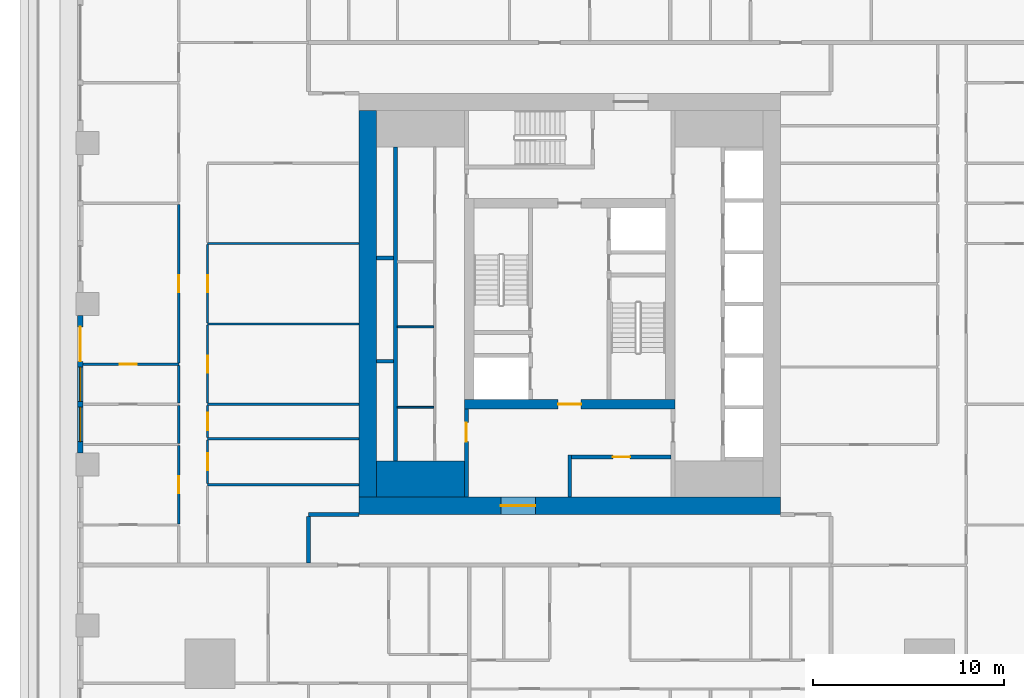
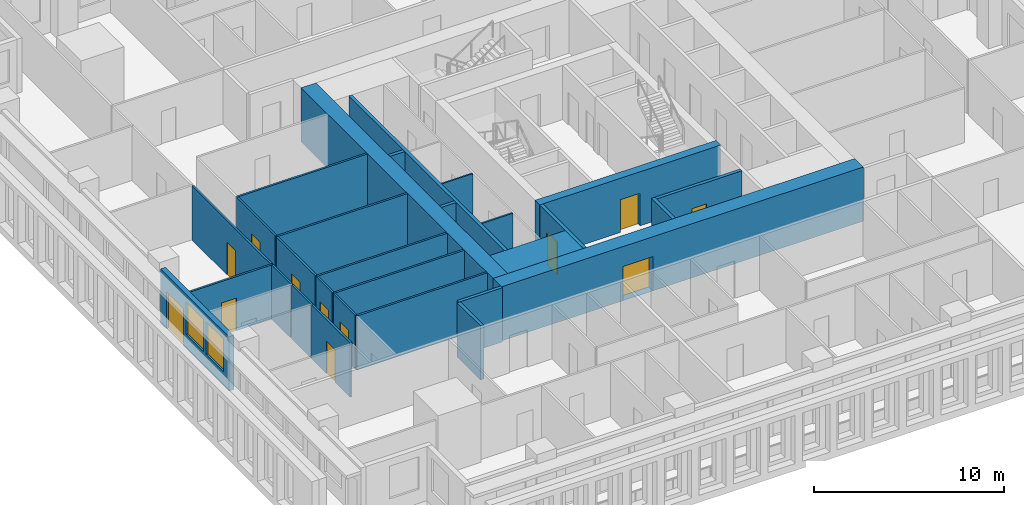
# One storey, part 3 of 16: 29 walls, 12 doors, 2 windows, 14 openings.
"""IFC4 building model written with IfcOpenShell, lengths in metres."""

from ifc_helpers import new_model, si_unit, direction, frame, frame_2d, origin, place, context, subcontext, project, spatial, rectangle, extrude, material, layer, layer_set, type_object, element, fill, save


model = new_model("IFC4")

# Units and contexts
model_context = context("Model", 3, precision=1e-05, world=origin(), true_north=direction((0.0, 1.0)))
body_context = subcontext(model_context, "Body", "Model", "MODEL_VIEW")
ifc_project = project(units=[si_unit("LENGTHUNIT", "METRE"), si_unit("AREAUNIT", "SQUARE_METRE"), si_unit("VOLUMEUNIT", "CUBIC_METRE"), si_unit("PLANEANGLEUNIT", "RADIAN"), si_unit("MASSUNIT", "GRAM", prefix="KILO")], contexts=[model_context])

# Site, building, storey
site_placement = place(None, origin())
site = spatial("IfcSite", under=ifc_project, at=site_placement, CompositionType="ELEMENT")
building_placement = place(site_placement, origin())
building = spatial("IfcBuilding", under=site, at=building_placement, Name="Khepri Terraces", CompositionType="ELEMENT")
storey_placement = place(building_placement, frame((0.0, 0.0, 137.699951171875)))
storey = spatial("IfcBuildingStorey", under=building, at=storey_placement, Name="L32", CompositionType="ELEMENT", Elevation=137.699951171875)

# Walls
ifc_material_1 = material(Name="Concrete C60/75", Category="concrete")
ifc_layer_1 = layer(ifc_material_1, 1.89990234375, Name="Concrete C60/75", Category="concrete")
ifc_layer_set_1 = layer_set([ifc_layer_1], Name="Concrete C60/75")
wall_type_1 = type_object("IfcWallType", Name="Core wall 1900 C60/75", PredefinedType="SHEAR", material=ifc_layer_set_1)
wall_1_placement = place(storey_placement, frame((-10.10009765625, -9.14990234375, 0.0), z_axis=(0.0, 0.0, 1.0), x_axis=(1.0, 0.0, 0.0)))
element("IfcWall", 1, at=wall_1_placement, inside=storey, type_object=wall_type_1, Name="Core wall PR01 L32", PredefinedType="SHEAR", context=body_context, shape_type="SweptSolid", body=[
    extrude(rectangle(XDim=4.60009765625, YDim=1.89990234375, at=frame_2d((2.300048828125, 0.0))), origin(), (0.0, 0.0, 1.0), 3.47998046875),
])
ifc_layer_2 = layer(ifc_material_1, 0.199951171875, Name="Concrete C60/75", Category="concrete")
ifc_layer_set_2 = layer_set([ifc_layer_2], Name="Concrete C60/75")
wall_type_2 = type_object("IfcWallType", Name="Core wall 200 C60/75", PredefinedType="SHEAR", material=ifc_layer_set_2)
wall_2_placement = place(storey_placement, frame((-9.10009765625, -8.199951171875, 0.0), z_axis=(0.0, 0.0, 1.0), x_axis=(0.0, 1.0, 0.0)))
element("IfcWall", 2, at=wall_2_placement, inside=storey, type_object=wall_type_2, Name="Core wall SH01 L32", PredefinedType="SHEAR", context=body_context, shape_type="SweptSolid", body=[
    extrude(rectangle(XDim=16.39990234375, YDim=0.199951171875, at=frame_2d((8.199951171875, 0.0))), origin(), (0.0, 0.0, 1.0), 3.47998046875),
])
for number, where, z_axis, x_axis, name in (
    (3, (-10.10009765625, -3.0, 0.0), (0.0, 0.0, 1.0), (1.0, 0.0, 0.0), "Core wall SH06 L32"),
    (4, (-10.10009765625, 2.39990234375, 0.0), (0.0, 0.0, 1.0), (1.0, 0.0, 0.0), "Core wall SH11 L32"),
):
    element("IfcWall", number, at=place(storey_placement, frame(where, z_axis=z_axis, x_axis=x_axis)), inside=storey, type_object=wall_type_2, Name=name, PredefinedType="SHEAR", context=body_context, shape_type="SweptSolid", body=[
        extrude(rectangle(XDim=0.900146484375, YDim=0.199951171875, at=frame_2d((0.4501953125, 0.0))), origin(), (0.0, 0.0, 1.0), 3.47998046875),
    ])

# Wall, opening, door
ifc_layer_3 = layer(ifc_material_1, 0.5, Name="Concrete C60/75", Category="concrete")
ifc_layer_set_3 = layer_set([ifc_layer_3], Name="Concrete C60/75")
wall_type_3 = type_object("IfcWallType", Name="Core wall 500 C60/75", PredefinedType="SHEAR", material=ifc_layer_set_3)
wall_3_placement = place(storey_placement, frame((-5.5, -5.25, 0.0), z_axis=(0.0, 0.0, 1.0), x_axis=(1.0, 0.0, 0.0)))
wall_3 = element("IfcWall", 5, at=wall_3_placement, inside=storey, type_object=wall_type_3, Name="Core wall BX01 L32", PredefinedType="SHEAR", context=body_context, shape_type="SweptSolid", body=[
    extrude(rectangle(XDim=11.0, YDim=0.5, at=frame_2d((5.5, 0.0))), origin(), (0.0, 0.0, 1.0), 3.47998046875),
])
opening_1_placement = place(wall_3_placement, frame((4.89990234375, 0.0, 0.0)))
opening_1 = element("IfcOpeningElement", 6, at=opening_1_placement, cuts=wall_3, Name="Opening L32-C14", PredefinedType="OPENING", context=body_context, shape_type="SweptSolid", body=[
    extrude(rectangle(XDim=1.199951171875, YDim=2.10009765625, at=frame_2d((0.60009765625, 1.050048828125))), frame((0.0, 0.260009765625, 0.0), z_axis=(0.0, -1.0, 0.0), x_axis=(1.0, 0.0, 0.0)), (0.0, 0.0, 1.0), 0.52001953125),
])
ifc_material_2 = material(Name="Painted steel", Category="steel")
door_type_1 = type_object("IfcDoorType", Name="DR-CORE-FF-LOBBY-1200", OperationType="NOTDEFINED", PredefinedType="DOOR", material=ifc_material_2)
door_1_placement = place(opening_1_placement, origin())
door_1 = element("IfcDoor", 7, at=door_1_placement, inside=storey, type_object=door_type_1, Name="Firefighting lobby door L32-C14", OperationType="SINGLE_SWING_RIGHT", OverallHeight=2.10009765625, OverallWidth=1.199951171875, PredefinedType="DOOR", context=body_context, shape_type="SweptSolid", body=[
    extrude(rectangle(XDim=1.199951171875, YDim=2.10009765625, at=frame_2d((0.60009765625, 1.050048828125))), frame((0.0, 0.02490234375, 0.0), z_axis=(0.0, -1.0, 0.0), x_axis=(1.0, 0.0, 0.0)), (0.0, 0.0, 1.0), 0.050048828125),
])
fill(opening_1, door_1)

ifc_layer_4 = layer(ifc_material_1, 0.89990234375, Name="Concrete C60/75", Category="concrete")
ifc_layer_set_4 = layer_set([ifc_layer_4], Name="Concrete C60/75")
wall_type_4 = type_object("IfcWallType", Name="Core wall 900 C60/75", PredefinedType="SHEAR", material=ifc_layer_set_4)
wall_4_placement = place(storey_placement, frame((-11.0, -10.550048828125, 0.0), z_axis=(0.0, 0.0, 1.0), x_axis=(1.0, 0.0, 0.0)))
wall_4 = element("IfcWall", 8, at=wall_4_placement, inside=storey, type_object=wall_type_4, Name="Core wall OW-S L32", PredefinedType="SHEAR", context=body_context, shape_type="SweptSolid", body=[
    extrude(rectangle(XDim=22.0, YDim=0.89990234375, at=frame_2d((11.0, 0.0))), origin(), (0.0, 0.0, 1.0), 3.47998046875),
])
opening_2_placement = place(wall_4_placement, frame((7.39990234375, 0.0, 0.0)))
opening_2 = element("IfcOpeningElement", 9, at=opening_2_placement, cuts=wall_4, Name="Opening L32-C21", PredefinedType="OPENING", context=body_context, shape_type="SweptSolid", body=[
    extrude(rectangle(XDim=1.800048828125, YDim=2.199951171875, at=frame_2d((0.89990234375, 1.10009765625))), frame((0.0, 0.4599609375, 0.0), z_axis=(0.0, -1.0, 0.0), x_axis=(1.0, 0.0, 0.0)), (0.0, 0.0, 1.0), 0.919921875),
])
door_type_2 = type_object("IfcDoorType", Name="DR-CORE-ENTRANCE-1800", OperationType="NOTDEFINED", PredefinedType="DOOR", material=ifc_material_2)
door_2_placement = place(opening_2_placement, frame((1.800048828125, 0.0, 0.0), z_axis=(0.0, 0.0, 1.0), x_axis=(-1.0, 0.0, 0.0)))
door_2 = element("IfcDoor", 10, at=door_2_placement, inside=storey, type_object=door_type_2, Name="Core entrance door pair L32-C21", OperationType="DOUBLE_DOOR_SINGLE_SWING", OverallHeight=2.199951171875, OverallWidth=1.800048828125, PredefinedType="DOOR", context=body_context, shape_type="SweptSolid", body=[
    extrude(rectangle(XDim=1.800048828125, YDim=2.199951171875, at=frame_2d((0.89990234375, 1.10009765625))), frame((0.0, 0.02490234375, 0.0), z_axis=(0.0, -1.0, 0.0), x_axis=(1.0, 0.0, 0.0)), (0.0, 0.0, 1.0), 0.050048828125),
])
fill(opening_2, door_2)

# Walls
wall_5_placement = place(storey_placement, frame((-10.550048828125, -10.10009765625, 0.0), z_axis=(0.0, 0.0, 1.0), x_axis=(0.0, 1.0, 0.0)))
element("IfcWall", 11, at=wall_5_placement, inside=storey, type_object=wall_type_4, Name="Core wall OW-W L32", PredefinedType="SHEAR", context=body_context, shape_type="SweptSolid", body=[
    extrude(rectangle(XDim=20.2001953125, YDim=0.89990234375, at=frame_2d((10.10009765625, 0.0))), origin(), (0.0, 0.0, 1.0), 3.47998046875),
])
ifc_material_3 = material(Name="Fire-rated gypsum board partition")
ifc_layer_5 = layer(ifc_material_3, 0.10009765625, Name="Fire-rated gypsum board partition")
ifc_layer_set_5 = layer_set([ifc_layer_5], Name="Fire-rated gypsum board partition")
wall_type_5 = type_object("IfcWallType", Name="WL-CORE-PART-100", PredefinedType="PARTITIONING", material=ifc_layer_set_5)
for number, where, z_axis, x_axis, name in (
    (12, (-9.0, -5.39990234375, 0.0), (0.0, 0.0, 1.0), (1.0, 0.0, 0.0), "Core partition PT06 L32"),
    (13, (-9.0, -1.199951171875, 0.0), (0.0, 0.0, 1.0), (1.0, 0.0, 0.0), "Core partition PT07 L32"),
):
    element("IfcWall", number, at=place(storey_placement, frame(where, z_axis=z_axis, x_axis=x_axis)), inside=storey, type_object=wall_type_5, Name=name, PredefinedType="PARTITIONING", context=body_context, shape_type="SweptSolid", body=[
        extrude(rectangle(XDim=1.89990234375, YDim=0.10009765625, at=frame_2d((0.949951171875, 0.0))), origin(), (0.0, 0.0, 1.0), 3.47998046875),
    ])

# Wall, opening, door
ifc_layer_6 = layer(ifc_material_3, 0.199951171875, Name="Fire-rated gypsum board partition")
ifc_layer_set_6 = layer_set([ifc_layer_6], Name="Fire-rated gypsum board partition")
wall_type_6 = type_object("IfcWallType", Name="WL-CORE-PART-200", PredefinedType="PARTITIONING", material=ifc_layer_set_6)
wall_6_placement = place(storey_placement, frame((-5.39990234375, -10.10009765625, 0.0), z_axis=(0.0, 0.0, 1.0), x_axis=(0.0, 1.0, 0.0)))
wall_6 = element("IfcWall", 14, at=wall_6_placement, inside=storey, type_object=wall_type_6, Name="Core partition PT01 L32", PredefinedType="PARTITIONING", context=body_context, shape_type="SweptSolid", body=[
    extrude(rectangle(XDim=4.60009765625, YDim=0.199951171875, at=frame_2d((2.300048828125, 0.0))), origin(), (0.0, 0.0, 1.0), 3.47998046875),
])
opening_3_placement = place(wall_6_placement, frame((2.89990234375, 0.0, 0.0)))
opening_3 = element("IfcOpeningElement", 15, at=opening_3_placement, cuts=wall_6, Name="Opening L32-C18", PredefinedType="OPENING", context=body_context, shape_type="SweptSolid", body=[
    extrude(rectangle(XDim=1.0, YDim=2.10009765625, at=frame_2d((0.5, 1.050048828125))), frame((0.0, 0.10986328125, 0.0), z_axis=(0.0, -1.0, 0.0), x_axis=(1.0, 0.0, 0.0)), (0.0, 0.0, 1.0), 0.219970703125),
])
door_type_3 = type_object("IfcDoorType", Name="DR-CORE-LOBBY-1000", OperationType="NOTDEFINED", PredefinedType="DOOR", material=ifc_material_2)
door_3_placement = place(opening_3_placement, frame((1.0, 0.0, 0.0), z_axis=(0.0, 0.0, 1.0), x_axis=(-1.0, 0.0, 0.0)))
door_3 = element("IfcDoor", 16, at=door_3_placement, inside=storey, type_object=door_type_3, Name="Lobby door L32-C18", OperationType="SINGLE_SWING_LEFT", OverallHeight=2.10009765625, OverallWidth=1.0, PredefinedType="DOOR", context=body_context, shape_type="SweptSolid", body=[
    extrude(rectangle(XDim=1.0, YDim=2.10009765625, at=frame_2d((0.5, 1.050048828125))), frame((0.0, 0.02490234375, 0.0), z_axis=(0.0, -1.0, 0.0), x_axis=(1.0, 0.0, 0.0)), (0.0, 0.0, 1.0), 0.050048828125),
])
fill(opening_3, door_3)

# Wall
wall_7_placement = place(storey_placement, frame((0.0, -10.10009765625, 0.0), z_axis=(0.0, 0.0, 1.0), x_axis=(0.0, 1.0, 0.0)))
element("IfcWall", 17, at=wall_7_placement, inside=storey, type_object=wall_type_6, Name="Core partition PT02 L32", PredefinedType="PARTITIONING", context=body_context, shape_type="SweptSolid", body=[
    extrude(rectangle(XDim=2.2001953125, YDim=0.199951171875, at=frame_2d((1.10009765625, 0.0))), origin(), (0.0, 0.0, 1.0), 3.47998046875),
])

# Wall, opening, door
wall_8_placement = place(storey_placement, frame((0.10009765625, -8.0, 0.0), z_axis=(0.0, 0.0, 1.0), x_axis=(1.0, 0.0, 0.0)))
wall_8 = element("IfcWall", 18, at=wall_8_placement, inside=storey, type_object=wall_type_6, Name="Core partition PT05 L32", PredefinedType="PARTITIONING", context=body_context, shape_type="SweptSolid", body=[
    extrude(rectangle(XDim=5.199951171875, YDim=0.199951171875, at=frame_2d((2.60009765625, 0.0))), origin(), (0.0, 0.0, 1.0), 3.47998046875),
])
opening_4_placement = place(wall_8_placement, frame((2.14990234375, 0.0, 0.0)))
opening_4 = element("IfcOpeningElement", 19, at=opening_4_placement, cuts=wall_8, Name="Opening L32-C22", PredefinedType="OPENING", context=body_context, shape_type="SweptSolid", body=[
    extrude(rectangle(XDim=0.89990234375, YDim=2.10009765625, at=frame_2d((0.449951171875, 1.050048828125))), frame((0.0, 0.10986328125, 0.0), z_axis=(0.0, -1.0, 0.0), x_axis=(1.0, 0.0, 0.0)), (0.0, 0.0, 1.0), 0.219970703125),
])
door_type_4 = type_object("IfcDoorType", Name="DR-CORE-SERVICE-900", OperationType="NOTDEFINED", PredefinedType="DOOR", material=ifc_material_2)
door_4_placement = place(opening_4_placement, frame((0.89990234375, 0.0, 0.0), z_axis=(0.0, 0.0, 1.0), x_axis=(-1.0, 0.0, 0.0)))
door_4 = element("IfcDoor", 20, at=door_4_placement, inside=storey, type_object=door_type_4, Name="Service room door L32-C22", OperationType="SINGLE_SWING_LEFT", OverallHeight=2.10009765625, OverallWidth=0.89990234375, PredefinedType="DOOR", context=body_context, shape_type="SweptSolid", body=[
    extrude(rectangle(XDim=0.89990234375, YDim=2.10009765625, at=frame_2d((0.449951171875, 1.050048828125))), frame((0.0, 0.02490234375, 0.0), z_axis=(0.0, -1.0, 0.0), x_axis=(1.0, 0.0, 0.0)), (0.0, 0.0, 1.0), 0.050048828125),
])
fill(opening_4, door_4)

# Walls
ifc_material_4 = material(Name="Fire-rated gypsum plasterboard partition, mineral wool")
ifc_layer_7 = layer(ifc_material_4, 0.199951171875, Name="Fire-rated gypsum plasterboard partition, mineral wool")
ifc_layer_set_7 = layer_set([ifc_layer_7], Name="Fire-rated gypsum plasterboard partition, mineral wool")
wall_type_7 = type_object("IfcWallType", Name="WL-CORR-200", PredefinedType="PARTITIONING", material=ifc_layer_set_7)
wall_9_placement = place(storey_placement, frame((-13.64990234375, -13.550048828125, 0.0), z_axis=(0.0, 0.0, 1.0), x_axis=(0.0, 1.0, 0.0)))
element("IfcWall", 21, at=wall_9_placement, inside=storey, type_object=wall_type_7, Name="Partition P-030 L32", PredefinedType="PARTITIONING", context=body_context, shape_type="SweptSolid", body=[
    extrude(rectangle(XDim=2.449951171875, YDim=0.199951171875, at=frame_2d((1.22509765625, 0.0))), origin(), (0.0, 0.0, 1.0), 3.47998046875),
])
wall_10_placement = place(storey_placement, frame((-13.64990234375, -11.0, 0.0), z_axis=(0.0, 0.0, 1.0), x_axis=(1.0, 0.0, 0.0)))
element("IfcWall", 22, at=wall_10_placement, inside=storey, type_object=wall_type_7, Name="Partition P-036 L32", PredefinedType="PARTITIONING", context=body_context, shape_type="SweptSolid", body=[
    extrude(rectangle(XDim=2.64990234375, YDim=0.199951171875, at=frame_2d((1.324951171875, 0.0))), origin(), (0.0, 0.0, 1.0), 3.47998046875),
])

# Wall, openings, door, windows
ifc_material_5 = material(Name="Precast concrete C50/60 warm stone", Category="masonry")
ifc_layer_8 = layer(ifc_material_5, 0.300048828125, Name="Precast concrete C50/60 warm stone", Category="masonry")
ifc_layer_set_8 = layer_set([ifc_layer_8], Name="Precast concrete C50/60 warm stone")
wall_type_8 = type_object("IfcWallType", Name="WL-EXT-PRECAST-300", PredefinedType="STANDARD", material=ifc_layer_set_8)
wall_11_placement = place(storey_placement, frame((-25.570068359375, -0.60009765625, 0.0), z_axis=(0.0, 0.0, 1.0), x_axis=(0.0, -1.0, 0.0)))
wall_11 = element("IfcWall", 23, at=wall_11_placement, inside=storey, type_object=wall_type_8, Name="External wall L32 W", PredefinedType="STANDARD", context=body_context, shape_type="SweptSolid", body=[
    extrude(rectangle(XDim=7.199951171875, YDim=0.300048828125, at=frame_2d((3.60009765625, 0.0))), origin(), (0.0, 0.0, 1.0), 3.47998046875),
])
opening_5_placement = place(wall_11_placement, frame((0.60009765625, 0.0, 0.0)))
opening_5 = element("IfcOpeningElement", 24, at=opening_5_placement, cuts=wall_11, Name="Opening ED-L32-16", PredefinedType="OPENING", context=body_context, shape_type="SweptSolid", body=[
    extrude(rectangle(XDim=1.800048828125, YDim=2.39990234375, at=frame_2d((0.89990234375, 1.199951171875))), frame((0.0, 0.16015625, 0.0), z_axis=(0.0, -1.0, 0.0), x_axis=(1.0, 0.0, 0.0)), (0.0, 0.0, 1.0), 0.320068359375),
])
opening_6_placement = place(wall_11_placement, frame((2.699951171875, 0.0, 0.89990234375)))
opening_6 = element("IfcOpeningElement", 25, at=opening_6_placement, cuts=wall_11, Name="Opening W1", PredefinedType="OPENING", context=body_context, shape_type="SweptSolid", body=[
    extrude(rectangle(XDim=1.800048828125, YDim=2.10009765625, at=frame_2d((0.89990234375, 1.050048828125))), frame((0.0, 0.16015625, 0.0), z_axis=(0.0, -1.0, 0.0), x_axis=(1.0, 0.0, 0.0)), (0.0, 0.0, 1.0), 0.320068359375),
])
opening_7_placement = place(wall_11_placement, frame((4.800048828125, 0.0, 0.89990234375)))
opening_7 = element("IfcOpeningElement", 26, at=opening_7_placement, cuts=wall_11, Name="Opening W1", PredefinedType="OPENING", context=body_context, shape_type="SweptSolid", body=[
    extrude(rectangle(XDim=1.800048828125, YDim=2.10009765625, at=frame_2d((0.89990234375, 1.050048828125))), frame((0.0, 0.16015625, 0.0), z_axis=(0.0, -1.0, 0.0), x_axis=(1.0, 0.0, 0.0)), (0.0, 0.0, 1.0), 0.320068359375),
])
ifc_material_6 = material(Name="Anodised aluminium bronze glazed door", Category="aluminium")
door_type_5 = type_object("IfcDoorType", Name="DR-BAL-SLIDE-1800x2400", OperationType="NOTDEFINED", PredefinedType="DOOR", material=ifc_material_6)
door_5_placement = place(opening_5_placement, origin())
door_5 = element("IfcDoor", 27, at=door_5_placement, inside=storey, type_object=door_type_5, Name="Balcony door L32 W", OperationType="SLIDING_TO_LEFT", OverallHeight=2.39990234375, OverallWidth=1.800048828125, PredefinedType="DOOR", context=body_context, shape_type="SweptSolid", body=[
    extrude(rectangle(XDim=1.800048828125, YDim=2.39990234375, at=frame_2d((0.89990234375, 1.199951171875))), frame((0.0, 0.02490234375, 0.0), z_axis=(0.0, -1.0, 0.0), x_axis=(1.0, 0.0, 0.0)), (0.0, 0.0, 1.0), 0.050048828125),
])
fill(opening_5, door_5)
ifc_material_7 = material(Name="Clear glass", Category="glass")
window_type = type_object("IfcWindowType", Name="WIN-RES-1800x2100", PartitioningType="SINGLE_PANEL", PredefinedType="WINDOW", material=ifc_material_7)
window_1_placement = place(opening_6_placement, origin())
window_1 = element("IfcWindow", 28, at=window_1_placement, inside=storey, type_object=window_type, Name="Window L32 W", OverallHeight=2.10009765625, OverallWidth=1.800048828125, PartitioningType="SINGLE_PANEL", PredefinedType="WINDOW", context=body_context, shape_type="SweptSolid", body=[
    extrude(rectangle(XDim=1.800048828125, YDim=2.10009765625, at=frame_2d((0.89990234375, 1.050048828125))), frame((0.0, 0.030029296875, 0.0), z_axis=(0.0, -1.0, 0.0), x_axis=(1.0, 0.0, 0.0)), (0.0, 0.0, 1.0), 0.06005859375),
])
fill(opening_6, window_1)
window_2_placement = place(opening_7_placement, origin())
window_2 = element("IfcWindow", 29, at=window_2_placement, inside=storey, type_object=window_type, Name="Window L32 W", OverallHeight=2.10009765625, OverallWidth=1.800048828125, PartitioningType="SINGLE_PANEL", PredefinedType="WINDOW", context=body_context, shape_type="SweptSolid", body=[
    extrude(rectangle(XDim=1.800048828125, YDim=2.10009765625, at=frame_2d((0.89990234375, 1.050048828125))), frame((0.0, 0.030029296875, 0.0), z_axis=(0.0, -1.0, 0.0), x_axis=(1.0, 0.0, 0.0)), (0.0, 0.0, 1.0), 0.06005859375),
])
fill(opening_7, window_2)

# Wall, opening, door
ifc_material_8 = material(Name="Gypsum plasterboard partition")
ifc_layer_9 = layer(ifc_material_8, 0.1201171875, Name="Gypsum plasterboard partition")
ifc_layer_set_9 = layer_set([ifc_layer_9], Name="Gypsum plasterboard partition")
wall_type_9 = type_object("IfcWallType", Name="WL-PART-120", PredefinedType="PARTITIONING", material=ifc_layer_set_9)
wall_12_placement = place(storey_placement, frame((-20.419921875, -11.489990234375, 0.0), z_axis=(0.0, 0.0, 1.0), x_axis=(0.0, 1.0, 0.0)))
wall_12 = element("IfcWall", 30, at=wall_12_placement, inside=storey, type_object=wall_type_9, Name="Partition P-034 L32", PredefinedType="PARTITIONING", context=body_context, shape_type="SweptSolid", body=[
    extrude(rectangle(XDim=4.080078125, YDim=0.1201171875, at=frame_2d((2.0400390625, 0.0))), origin(), (0.0, 0.0, 1.0), 3.47998046875),
])
opening_8_placement = place(wall_12_placement, frame((1.590087890625, 0.0, 0.0)))
opening_8 = element("IfcOpeningElement", 31, at=opening_8_placement, cuts=wall_12, Name="Opening D3", PredefinedType="OPENING", context=body_context, shape_type="SweptSolid", body=[
    extrude(rectangle(XDim=0.89990234375, YDim=2.10009765625, at=frame_2d((0.449951171875, 1.050048828125))), frame((0.0, 0.070068359375, 0.0), z_axis=(0.0, -1.0, 0.0), x_axis=(1.0, 0.0, 0.0)), (0.0, 0.0, 1.0), 0.14013671875),
])
ifc_material_9 = material(Name="Timber door leaf", Category="wood")
door_type_6 = type_object("IfcDoorType", Name="DR-INT-900", OperationType="NOTDEFINED", PredefinedType="DOOR", material=ifc_material_9)
door_6_placement = place(opening_8_placement, origin())
door_6 = element("IfcDoor", 32, at=door_6_placement, inside=storey, type_object=door_type_6, Name="Door Bedroom", OperationType="SINGLE_SWING_RIGHT", OverallHeight=2.10009765625, OverallWidth=0.89990234375, PredefinedType="DOOR", context=body_context, shape_type="SweptSolid", body=[
    extrude(rectangle(XDim=0.89990234375, YDim=2.10009765625, at=frame_2d((0.449951171875, 1.050048828125))), frame((0.0, 0.02490234375, 0.0), z_axis=(0.0, -1.0, 0.0), x_axis=(1.0, 0.0, 0.0)), (0.0, 0.0, 1.0), 0.050048828125),
])
fill(opening_8, door_6)

# Wall
wall_13_placement = place(storey_placement, frame((-18.919921875, -9.449951171875, 0.0), z_axis=(0.0, 0.0, 1.0), x_axis=(1.0, 0.0, 0.0)))
element("IfcWall", 33, at=wall_13_placement, inside=storey, type_object=wall_type_9, Name="Partition P-038 L32", PredefinedType="PARTITIONING", context=body_context, shape_type="SweptSolid", body=[
    extrude(rectangle(XDim=7.919921875, YDim=0.1201171875, at=frame_2d((3.9599609375, 0.0))), origin(), (0.0, 0.0, 1.0), 3.47998046875),
])

# Wall, opening, door
wall_14_placement = place(storey_placement, frame((-18.919921875, -9.389892578125, 0.0), z_axis=(0.0, 0.0, 1.0), x_axis=(0.0, 1.0, 0.0)))
wall_14 = element("IfcWall", 34, at=wall_14_placement, inside=storey, type_object=wall_type_9, Name="Partition P-039 L32", PredefinedType="PARTITIONING", context=body_context, shape_type="SweptSolid", body=[
    extrude(rectangle(XDim=2.27978515625, YDim=0.1201171875, at=frame_2d((1.139892578125, 0.0))), origin(), (0.0, 0.0, 1.0), 3.47998046875),
])
opening_9_placement = place(wall_14_placement, frame((0.68994140625, 0.0, 0.0)))
opening_9 = element("IfcOpeningElement", 35, at=opening_9_placement, cuts=wall_14, Name="Opening D4", PredefinedType="OPENING", context=body_context, shape_type="SweptSolid", body=[
    extrude(rectangle(XDim=0.89990234375, YDim=2.10009765625, at=frame_2d((0.449951171875, 1.050048828125))), frame((0.0, 0.070068359375, 0.0), z_axis=(0.0, -1.0, 0.0), x_axis=(1.0, 0.0, 0.0)), (0.0, 0.0, 1.0), 0.14013671875),
])
ifc_material_10 = material(Name="Timber door leaf, moisture resistant", Category="wood")
door_type_7 = type_object("IfcDoorType", Name="DR-WET-900", OperationType="NOTDEFINED", PredefinedType="DOOR", material=ifc_material_10)
door_7_placement = place(opening_9_placement, frame((0.89990234375, 0.0, 0.0), z_axis=(0.0, 0.0, 1.0), x_axis=(-1.0, 0.0, 0.0)))
door_7 = element("IfcDoor", 36, at=door_7_placement, inside=storey, type_object=door_type_7, Name="Door Guest Bathroom", OperationType="SINGLE_SWING_LEFT", OverallHeight=2.10009765625, OverallWidth=0.89990234375, PredefinedType="DOOR", context=body_context, shape_type="SweptSolid", body=[
    extrude(rectangle(XDim=0.89990234375, YDim=2.10009765625, at=frame_2d((0.449951171875, 1.050048828125))), frame((0.0, 0.02490234375, 0.0), z_axis=(0.0, -1.0, 0.0), x_axis=(1.0, 0.0, 0.0)), (0.0, 0.0, 1.0), 0.050048828125),
])
fill(opening_9, door_7)

# Walls
wall_15_placement = place(storey_placement, frame((-20.419921875, -7.2900390625, 0.0), z_axis=(0.0, 0.0, 1.0), x_axis=(0.0, 1.0, 0.0)))
element("IfcWall", 37, at=wall_15_placement, inside=storey, type_object=wall_type_9, Name="Partition P-042 L32", PredefinedType="PARTITIONING", context=body_context, shape_type="SweptSolid", body=[
    extrude(rectangle(XDim=1.97998046875, YDim=0.1201171875, at=frame_2d((0.989990234375, 0.0))), origin(), (0.0, 0.0, 1.0), 3.47998046875),
])
wall_16_placement = place(storey_placement, frame((-18.919921875, -7.050048828125, 0.0), z_axis=(0.0, 0.0, 1.0), x_axis=(1.0, 0.0, 0.0)))
element("IfcWall", 38, at=wall_16_placement, inside=storey, type_object=wall_type_9, Name="Partition P-044 L32", PredefinedType="PARTITIONING", context=body_context, shape_type="SweptSolid", body=[
    extrude(rectangle(XDim=7.919921875, YDim=0.1201171875, at=frame_2d((3.9599609375, 0.0))), origin(), (0.0, 0.0, 1.0), 3.47998046875),
])

# Wall, opening, door
wall_17_placement = place(storey_placement, frame((-18.919921875, -6.989990234375, 0.0), z_axis=(0.0, 0.0, 1.0), x_axis=(0.0, 1.0, 0.0)))
wall_17 = element("IfcWall", 39, at=wall_17_placement, inside=storey, type_object=wall_type_9, Name="Partition P-045 L32", PredefinedType="PARTITIONING", context=body_context, shape_type="SweptSolid", body=[
    extrude(rectangle(XDim=1.679931640625, YDim=0.1201171875, at=frame_2d((0.83984375, 0.0))), origin(), (0.0, 0.0, 1.0), 3.47998046875),
])
opening_10_placement = place(wall_17_placement, frame((0.389892578125, 0.0, 0.0)))
opening_10 = element("IfcOpeningElement", 40, at=opening_10_placement, cuts=wall_17, Name="Opening D4", PredefinedType="OPENING", context=body_context, shape_type="SweptSolid", body=[
    extrude(rectangle(XDim=0.89990234375, YDim=2.10009765625, at=frame_2d((0.449951171875, 1.050048828125))), frame((0.0, 0.070068359375, 0.0), z_axis=(0.0, -1.0, 0.0), x_axis=(1.0, 0.0, 0.0)), (0.0, 0.0, 1.0), 0.14013671875),
])
door_8_placement = place(opening_10_placement, frame((0.89990234375, 0.0, 0.0), z_axis=(0.0, 0.0, 1.0), x_axis=(-1.0, 0.0, 0.0)))
door_8 = element("IfcDoor", 41, at=door_8_placement, inside=storey, type_object=door_type_7, Name="Door Powder Room", OperationType="SINGLE_SWING_RIGHT", OverallHeight=2.10009765625, OverallWidth=0.89990234375, PredefinedType="DOOR", context=body_context, shape_type="SweptSolid", body=[
    extrude(rectangle(XDim=0.89990234375, YDim=2.10009765625, at=frame_2d((0.449951171875, 1.050048828125))), frame((0.0, 0.02490234375, 0.0), z_axis=(0.0, -1.0, 0.0), x_axis=(1.0, 0.0, 0.0)), (0.0, 0.0, 1.0), 0.050048828125),
])
fill(opening_10, door_8)

# Walls
wall_18_placement = place(storey_placement, frame((-18.919921875, -5.25, 0.0), z_axis=(0.0, 0.0, 1.0), x_axis=(1.0, 0.0, 0.0)))
element("IfcWall", 42, at=wall_18_placement, inside=storey, type_object=wall_type_9, Name="Partition P-047 L32", PredefinedType="PARTITIONING", context=body_context, shape_type="SweptSolid", body=[
    extrude(rectangle(XDim=7.919921875, YDim=0.1201171875, at=frame_2d((3.9599609375, 0.0))), origin(), (0.0, 0.0, 1.0), 3.47998046875),
])
wall_19_placement = place(storey_placement, frame((-20.419921875, -5.18994140625, 0.0), z_axis=(0.0, 0.0, 1.0), x_axis=(0.0, 1.0, 0.0)))
element("IfcWall", 43, at=wall_19_placement, inside=storey, type_object=wall_type_9, Name="Partition P-049 L32", PredefinedType="PARTITIONING", context=body_context, shape_type="SweptSolid", body=[
    extrude(rectangle(XDim=1.97998046875, YDim=0.1201171875, at=frame_2d((0.989990234375, 0.0))), origin(), (0.0, 0.0, 1.0), 3.47998046875),
])

# Wall, opening, door
wall_20_placement = place(storey_placement, frame((-18.919921875, -5.18994140625, 0.0), z_axis=(0.0, 0.0, 1.0), x_axis=(0.0, 1.0, 0.0)))
wall_20 = element("IfcWall", 44, at=wall_20_placement, inside=storey, type_object=wall_type_9, Name="Partition P-050 L32", PredefinedType="PARTITIONING", context=body_context, shape_type="SweptSolid", body=[
    extrude(rectangle(XDim=4.079833984375, YDim=0.1201171875, at=frame_2d((2.0400390625, 0.0))), origin(), (0.0, 0.0, 1.0), 3.47998046875),
])
opening_11_placement = place(wall_20_placement, frame((1.590087890625, 0.0, 0.0)))
opening_11 = element("IfcOpeningElement", 45, at=opening_11_placement, cuts=wall_20, Name="Opening D3", PredefinedType="OPENING", context=body_context, shape_type="SweptSolid", body=[
    extrude(rectangle(XDim=0.89990234375, YDim=2.10009765625, at=frame_2d((0.449951171875, 1.050048828125))), frame((0.0, 0.070068359375, 0.0), z_axis=(0.0, -1.0, 0.0), x_axis=(1.0, 0.0, 0.0)), (0.0, 0.0, 1.0), 0.14013671875),
])
door_9_placement = place(opening_11_placement, frame((0.89990234375, 0.0, 0.0), z_axis=(0.0, 0.0, 1.0), x_axis=(-1.0, 0.0, 0.0)))
door_9 = element("IfcDoor", 46, at=door_9_placement, inside=storey, type_object=door_type_6, Name="Door Staff Bedroom", OperationType="SINGLE_SWING_LEFT", OverallHeight=2.10009765625, OverallWidth=0.89990234375, PredefinedType="DOOR", context=body_context, shape_type="SweptSolid", body=[
    extrude(rectangle(XDim=0.89990234375, YDim=2.10009765625, at=frame_2d((0.449951171875, 1.050048828125))), frame((0.0, 0.02490234375, 0.0), z_axis=(0.0, -1.0, 0.0), x_axis=(1.0, 0.0, 0.0)), (0.0, 0.0, 1.0), 0.050048828125),
])
fill(opening_11, door_9)

wall_21_placement = place(storey_placement, frame((-25.419921875, -3.14990234375, 0.0), z_axis=(0.0, 0.0, 1.0), x_axis=(1.0, 0.0, 0.0)))
wall_21 = element("IfcWall", 47, at=wall_21_placement, inside=storey, type_object=wall_type_9, Name="Partition P-054 L32", PredefinedType="PARTITIONING", context=body_context, shape_type="SweptSolid", body=[
    extrude(rectangle(XDim=5.0, YDim=0.1201171875, at=frame_2d((2.5, 0.0))), origin(), (0.0, 0.0, 1.0), 3.47998046875),
])
opening_12_placement = place(wall_21_placement, frame((1.89990234375, 0.0, 0.0)))
opening_12 = element("IfcOpeningElement", 48, at=opening_12_placement, cuts=wall_21, Name="Opening D3", PredefinedType="OPENING", context=body_context, shape_type="SweptSolid", body=[
    extrude(rectangle(XDim=0.89990234375, YDim=2.10009765625, at=frame_2d((0.449951171875, 1.050048828125))), frame((0.0, 0.070068359375, 0.0), z_axis=(0.0, -1.0, 0.0), x_axis=(1.0, 0.0, 0.0)), (0.0, 0.0, 1.0), 0.14013671875),
])
door_10_placement = place(opening_12_placement, frame((0.89990234375, 0.0, 0.0), z_axis=(0.0, 0.0, 1.0), x_axis=(-1.0, 0.0, 0.0)))
door_10 = element("IfcDoor", 49, at=door_10_placement, inside=storey, type_object=door_type_6, Name="Door Dressing Room", OperationType="SINGLE_SWING_RIGHT", OverallHeight=2.10009765625, OverallWidth=0.89990234375, PredefinedType="DOOR", context=body_context, shape_type="SweptSolid", body=[
    extrude(rectangle(XDim=0.89990234375, YDim=2.10009765625, at=frame_2d((0.449951171875, 1.050048828125))), frame((0.0, 0.02490234375, 0.0), z_axis=(0.0, -1.0, 0.0), x_axis=(1.0, 0.0, 0.0)), (0.0, 0.0, 1.0), 0.050048828125),
])
fill(opening_12, door_10)

wall_22_placement = place(storey_placement, frame((-20.419921875, -3.090087890625, 0.0), z_axis=(0.0, 0.0, 1.0), x_axis=(0.0, 1.0, 0.0)))
wall_22 = element("IfcWall", 50, at=wall_22_placement, inside=storey, type_object=wall_type_9, Name="Partition P-055 L32", PredefinedType="PARTITIONING", context=body_context, shape_type="SweptSolid", body=[
    extrude(rectangle(XDim=8.280029296875, YDim=0.1201171875, at=frame_2d((4.14013671875, 0.0))), origin(), (0.0, 0.0, 1.0), 3.47998046875),
])
opening_13_placement = place(wall_22_placement, frame((3.68994140625, 0.0, 0.0)))
opening_13 = element("IfcOpeningElement", 51, at=opening_13_placement, cuts=wall_22, Name="Opening D3", PredefinedType="OPENING", context=body_context, shape_type="SweptSolid", body=[
    extrude(rectangle(XDim=0.89990234375, YDim=2.10009765625, at=frame_2d((0.449951171875, 1.050048828125))), frame((0.0, 0.070068359375, 0.0), z_axis=(0.0, -1.0, 0.0), x_axis=(1.0, 0.0, 0.0)), (0.0, 0.0, 1.0), 0.14013671875),
])
door_11_placement = place(opening_13_placement, origin())
door_11 = element("IfcDoor", 52, at=door_11_placement, inside=storey, type_object=door_type_6, Name="Door Master Bedroom", OperationType="SINGLE_SWING_LEFT", OverallHeight=2.10009765625, OverallWidth=0.89990234375, PredefinedType="DOOR", context=body_context, shape_type="SweptSolid", body=[
    extrude(rectangle(XDim=0.89990234375, YDim=2.10009765625, at=frame_2d((0.449951171875, 1.050048828125))), frame((0.0, 0.02490234375, 0.0), z_axis=(0.0, -1.0, 0.0), x_axis=(1.0, 0.0, 0.0)), (0.0, 0.0, 1.0), 0.050048828125),
])
fill(opening_13, door_11)

# Wall
wall_23_placement = place(storey_placement, frame((-18.919921875, -1.050048828125, 0.0), z_axis=(0.0, 0.0, 1.0), x_axis=(1.0, 0.0, 0.0)))
element("IfcWall", 53, at=wall_23_placement, inside=storey, type_object=wall_type_9, Name="Partition P-056 L32", PredefinedType="PARTITIONING", context=body_context, shape_type="SweptSolid", body=[
    extrude(rectangle(XDim=7.919921875, YDim=0.1201171875, at=frame_2d((3.9599609375, 0.0))), origin(), (0.0, 0.0, 1.0), 3.47998046875),
])

# Wall, opening, door
wall_24_placement = place(storey_placement, frame((-18.919921875, -0.989990234375, 0.0), z_axis=(0.0, 0.0, 1.0), x_axis=(0.0, 1.0, 0.0)))
wall_24 = element("IfcWall", 54, at=wall_24_placement, inside=storey, type_object=wall_type_9, Name="Partition P-057 L32", PredefinedType="PARTITIONING", context=body_context, shape_type="SweptSolid", body=[
    extrude(rectangle(XDim=4.080078125, YDim=0.1201171875, at=frame_2d((2.0400390625, 0.0))), origin(), (0.0, 0.0, 1.0), 3.47998046875),
])
opening_14_placement = place(wall_24_placement, frame((1.590087890625, 0.0, 0.0)))
opening_14 = element("IfcOpeningElement", 55, at=opening_14_placement, cuts=wall_24, Name="Opening D3", PredefinedType="OPENING", context=body_context, shape_type="SweptSolid", body=[
    extrude(rectangle(XDim=0.89990234375, YDim=2.10009765625, at=frame_2d((0.449951171875, 1.050048828125))), frame((0.0, 0.070068359375, 0.0), z_axis=(0.0, -1.0, 0.0), x_axis=(1.0, 0.0, 0.0)), (0.0, 0.0, 1.0), 0.14013671875),
])
door_12_placement = place(opening_14_placement, frame((0.89990234375, 0.0, 0.0), z_axis=(0.0, 0.0, 1.0), x_axis=(-1.0, 0.0, 0.0)))
door_12 = element("IfcDoor", 56, at=door_12_placement, inside=storey, type_object=door_type_6, Name="Door Service Kitchen", OperationType="SINGLE_SWING_LEFT", OverallHeight=2.10009765625, OverallWidth=0.89990234375, PredefinedType="DOOR", context=body_context, shape_type="SweptSolid", body=[
    extrude(rectangle(XDim=0.89990234375, YDim=2.10009765625, at=frame_2d((0.449951171875, 1.050048828125))), frame((0.0, 0.02490234375, 0.0), z_axis=(0.0, -1.0, 0.0), x_axis=(1.0, 0.0, 0.0)), (0.0, 0.0, 1.0), 0.050048828125),
])
fill(opening_14, door_12)

# Wall
wall_25_placement = place(storey_placement, frame((-18.919921875, 3.14990234375, 0.0), z_axis=(0.0, 0.0, 1.0), x_axis=(1.0, 0.0, 0.0)))
element("IfcWall", 57, at=wall_25_placement, inside=storey, type_object=wall_type_9, Name="Partition P-060 L32", PredefinedType="PARTITIONING", context=body_context, shape_type="SweptSolid", body=[
    extrude(rectangle(XDim=7.919921875, YDim=0.1201171875, at=frame_2d((3.9599609375, 0.0))), origin(), (0.0, 0.0, 1.0), 3.47998046875),
])

save(model, "model.ifc")
